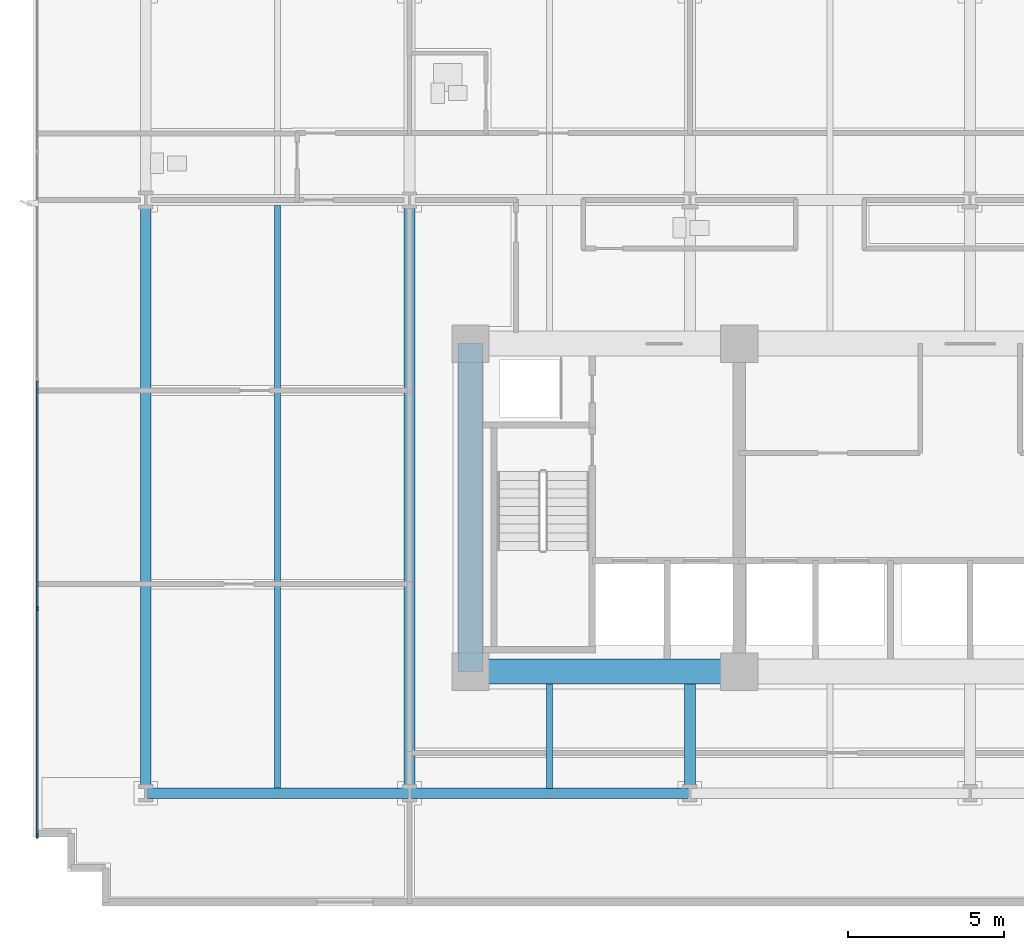
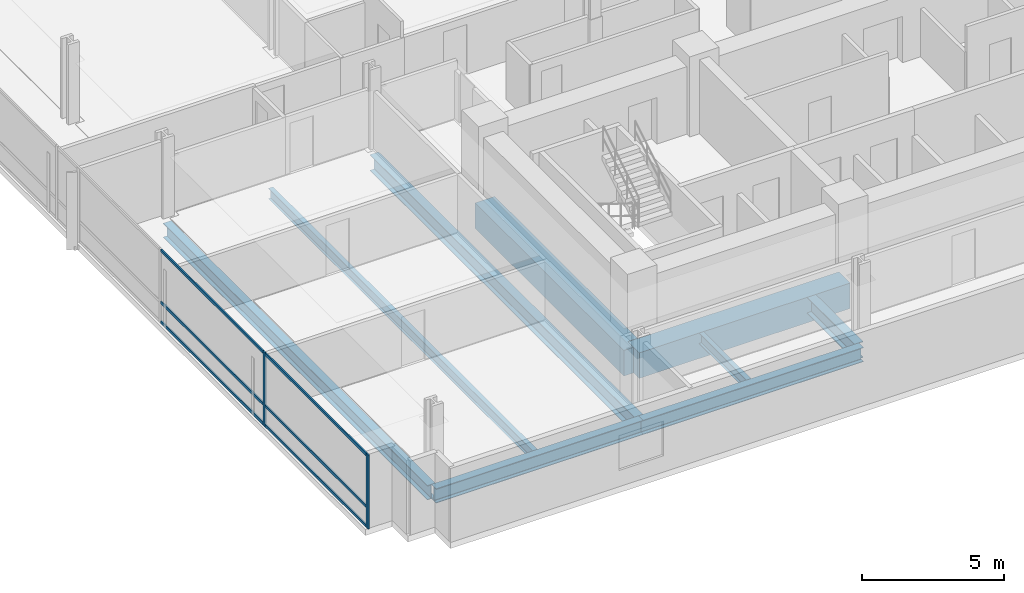
# One storey, part 2 of 21: 9 beams, 8 members, 1 element without a shape of its own.
"""IFC4 building model written with IfcOpenShell, lengths in metres."""

from ifc_helpers import new_model, si_unit, direction, frame, origin, origin_2d, place, context, subcontext, project, spatial, rectangle, i_section, extrude, material, material_profile, profile_set, type_object, element, aggregate, save


model = new_model("IFC4")

# Units and contexts
model_context = context("Model", 3, precision=1e-05, world=origin(), true_north=direction((0.0, 1.0)))
body_context = subcontext(model_context, "Body", "Model", "MODEL_VIEW")
ifc_project = project(units=[si_unit("LENGTHUNIT", "METRE"), si_unit("AREAUNIT", "SQUARE_METRE"), si_unit("VOLUMEUNIT", "CUBIC_METRE"), si_unit("PLANEANGLEUNIT", "RADIAN"), si_unit("MASSUNIT", "GRAM", prefix="KILO")], contexts=[model_context])

# Site, building, storey
site_placement = place(None, origin())
site = spatial("IfcSite", under=ifc_project, at=site_placement, CompositionType="ELEMENT")
building_placement = place(site_placement, origin())
building = spatial("IfcBuilding", under=site, at=building_placement, Name="Solmavex Isthmus Hotel", CompositionType="ELEMENT")
storey_placement = place(building_placement, frame((0.0, 0.0, 54.0)))
storey = spatial("IfcBuildingStorey", under=building, at=storey_placement, Name="L14", CompositionType="ELEMENT", Elevation=54.0)

# Beams
ifc_material_1 = material(Name="Steel ASTM A992 Grade 50", Category="steel")
ifc_material_profile_1 = material_profile(ifc_material_1, i_section(OverallWidth=0.354736328125, OverallDepth=0.695556640625, WebThickness=0.015380859375, FlangeThickness=0.02490234375, FilletRadius=0.017822265625, at=origin_2d()), Name="W27X146")
ifc_profile_set_1 = profile_set([ifc_material_profile_1], Name="Steel ASTM A992 Grade 50")
beam_type_1 = type_object("IfcBeamType", Name="BM-BG-W27X146", PredefinedType="BEAM", material=ifc_profile_set_1)
beam_1_placement = place(storey_placement, frame((-17.951904296875, -16.73681640625, -0.607666015625), z_axis=(0.0, 1.0, 0.0), x_axis=(-1.0, 0.0, 0.0)))
element("IfcBeam", 1, at=beam_1_placement, inside=storey, type_object=beam_type_1, Name="Floor Beam L14-VG28", PredefinedType="BEAM", context=body_context, shape_type="SweptSolid", body=[
    extrude(i_section(OverallWidth=0.354736328125, OverallDepth=0.695556640625, WebThickness=0.015380859375, FlangeThickness=0.02490234375, FilletRadius=0.017822265625, at=origin_2d()), origin(), (0.0, 0.0, 1.0), 18.659423828125),
])
beam_2_placement = place(storey_placement, frame((-8.97607421875, -16.73681640625, -0.607666015625), z_axis=(0.0, 1.0, 0.0), x_axis=(-1.0, 0.0, 0.0)))
element("IfcBeam", 2, at=beam_2_placement, inside=storey, type_object=beam_type_1, Name="Floor Beam L14-VG31", PredefinedType="BEAM", context=body_context, shape_type="SweptSolid", body=[
    extrude(i_section(OverallWidth=0.354736328125, OverallDepth=0.695556640625, WebThickness=0.015380859375, FlangeThickness=0.02490234375, FilletRadius=0.017822265625, at=origin_2d()), origin(), (0.0, 0.0, 1.0), 3.3369140625),
])
ifc_material_profile_2 = material_profile(ifc_material_1, i_section(OverallWidth=0.1904296875, OverallDepth=0.456787109375, WebThickness=0.009033203125, FlangeThickness=0.014404296875, FilletRadius=0.0126953125, at=origin_2d()), Name="W18X50")
ifc_profile_set_2 = profile_set([ifc_material_profile_2], Name="Steel ASTM A992 Grade 50")
beam_type_2 = type_object("IfcBeamType", Name="BM-BJ-W18X50", PredefinedType="JOIST", material=ifc_profile_set_2)
beam_3_placement = place(storey_placement, frame((-22.176025390625, -16.73681640625, -0.488525390625), z_axis=(0.0, 1.0, 0.0), x_axis=(-1.0, 0.0, 0.0)))
element("IfcBeam", 3, at=beam_3_placement, inside=storey, type_object=beam_type_2, Name="Secondary Floor Joist L14-J01", PredefinedType="JOIST", context=body_context, shape_type="SweptSolid", body=[
    extrude(i_section(OverallWidth=0.1904296875, OverallDepth=0.456787109375, WebThickness=0.009033203125, FlangeThickness=0.014404296875, FilletRadius=0.0126953125, at=origin_2d()), origin(), (0.0, 0.0, 1.0), 18.659423828125),
])
beam_4_placement = place(storey_placement, frame((-13.464111328125, -16.73681640625, -0.488525390625), z_axis=(0.0, 1.0, 0.0), x_axis=(-1.0, 0.0, 0.0)))
element("IfcBeam", 4, at=beam_4_placement, inside=storey, type_object=beam_type_2, Name="Secondary Floor Joist L14-J04", PredefinedType="JOIST", context=body_context, shape_type="SweptSolid", body=[
    extrude(i_section(OverallWidth=0.1904296875, OverallDepth=0.456787109375, WebThickness=0.009033203125, FlangeThickness=0.014404296875, FilletRadius=0.0126953125, at=origin_2d()), origin(), (0.0, 0.0, 1.0), 3.3369140625),
])
ifc_material_2 = material(Name="Concrete C70/85", Category="concrete")
ifc_material_profile_3 = material_profile(ifc_material_2, rectangle(XDim=0.800048828125, YDim=1.10009765625, at=origin_2d()), Name="RC800X1100")
ifc_profile_set_3 = profile_set([ifc_material_profile_3], Name="Concrete C70/85")
beam_type_3 = type_object("IfcBeamType", Name="BM-CB-800X1100", PredefinedType="BEAM", material=ifc_profile_set_3)
beam_5_placement = place(storey_placement, frame((-16.0, -13.0, -0.81005859375), z_axis=(1.0, 0.0, 0.0), x_axis=(0.0, 1.0, 0.0)))
element("IfcBeam", 5, at=beam_5_placement, inside=storey, type_object=beam_type_3, Name="Core Coupling Beam L14-CB1", PredefinedType="BEAM", context=body_context, shape_type="SweptSolid", body=[
    extrude(rectangle(XDim=0.800048828125, YDim=1.10009765625, at=origin_2d()), origin(), (0.0, 0.0, 1.0), 8.60009765625),
])
beam_6_placement = place(storey_placement, frame((-16.0, -13.0, -0.81005859375), z_axis=(0.0, 1.0, 0.0), x_axis=(-1.0, 0.0, 0.0)))
element("IfcBeam", 6, at=beam_6_placement, inside=storey, type_object=beam_type_3, Name="Core Coupling Beam L14-CB7", PredefinedType="BEAM", context=body_context, shape_type="SweptSolid", body=[
    extrude(rectangle(XDim=0.800048828125, YDim=1.10009765625, at=origin_2d()), origin(), (0.0, 0.0, 1.0), 10.5),
])
ifc_material_profile_4 = material_profile(ifc_material_1, i_section(OverallWidth=0.326416015625, OverallDepth=0.621826171875, WebThickness=0.015380859375, FlangeThickness=0.0244140625, FilletRadius=0.01513671875, at=origin_2d()), Name="W24X131")
ifc_profile_set_4 = profile_set([ifc_material_profile_4], Name="Steel ASTM A992 Grade 50")
beam_type_4 = type_object("IfcBeamType", Name="BM-SP-W24X131", PredefinedType="SPANDREL", material=ifc_profile_set_4)
beam_7_placement = place(storey_placement, frame((-26.39990234375, -16.89990234375, -0.57080078125), z_axis=(1.0, 0.0, 0.0), x_axis=(0.0, 1.0, 0.0)))
element("IfcBeam", 7, at=beam_7_placement, inside=storey, type_object=beam_type_4, Name="Floor Girder L14-UG01", PredefinedType="SPANDREL", context=body_context, shape_type="SweptSolid", body=[
    extrude(i_section(OverallWidth=0.326416015625, OverallDepth=0.621826171875, WebThickness=0.015380859375, FlangeThickness=0.0244140625, FilletRadius=0.01513671875, at=origin_2d()), origin(), (0.0, 0.0, 1.0), 8.447998046875),
])
beam_8_placement = place(storey_placement, frame((-17.951904296875, -16.89990234375, -0.57080078125), z_axis=(1.0, 0.0, 0.0), x_axis=(0.0, 1.0, 0.0)))
element("IfcBeam", 8, at=beam_8_placement, inside=storey, type_object=beam_type_4, Name="Floor Girder L14-UG02", PredefinedType="SPANDREL", context=body_context, shape_type="SweptSolid", body=[
    extrude(i_section(OverallWidth=0.326416015625, OverallDepth=0.621826171875, WebThickness=0.015380859375, FlangeThickness=0.0244140625, FilletRadius=0.01513671875, at=origin_2d()), origin(), (0.0, 0.0, 1.0), 8.975830078125),
])
beam_9_placement = place(storey_placement, frame((-26.39990234375, -16.73681640625, -0.57080078125), z_axis=(0.0, 1.0, 0.0), x_axis=(-1.0, 0.0, 0.0)))
element("IfcBeam", 9, at=beam_9_placement, inside=storey, type_object=beam_type_4, Name="Floor Beam L14-VG25", PredefinedType="SPANDREL", context=body_context, shape_type="SweptSolid", body=[
    extrude(i_section(OverallWidth=0.326416015625, OverallDepth=0.621826171875, WebThickness=0.015380859375, FlangeThickness=0.0244140625, FilletRadius=0.01513671875, at=origin_2d()), origin(), (0.0, 0.0, 1.0), 18.659423828125),
])

# Curtain wall, members
ifc_material_3 = material(Name="Aluminium alloy 6063-T6", Category="aluminium")
curtain_wall_type = type_object("IfcCurtainWallType", Name="CW-SYS-06", PredefinedType="NOTDEFINED", material=ifc_material_3)
curtain_wall_placement = place(storey_placement, origin())
curtain_wall = element("IfcCurtainWall", 10, at=curtain_wall_placement, inside=storey, type_object=curtain_wall_type, Name="Stick Curtain Wall CWL-L14-W1", PredefinedType="NOTDEFINED")
ifc_material_profile_5 = material_profile(ifc_material_3, rectangle(XDim=0.06005859375, YDim=0.139892578125, at=origin_2d()), Name="CWM-60X140")
ifc_profile_set_5 = profile_set([ifc_material_profile_5], Name="Aluminium alloy 6063-T6")
member_type_1 = type_object("IfcMemberType", Name="CW-SYS-06-MUL", PredefinedType="MULLION", material=ifc_profile_set_5)
member_1_placement = place(storey_placement, frame((-29.8798828125, -18.27001953125, 0.0), z_axis=(0.0, 0.0, 1.0), x_axis=(-1.0, 0.0, 0.0)))
member_1 = element("IfcMember", 11, at=member_1_placement, type_object=member_type_1, Name="CW-06 mullion 1", PredefinedType="MULLION", context=body_context, shape_type="SweptSolid", body=[
    extrude(rectangle(XDim=0.06005859375, YDim=0.139892578125, at=origin_2d()), origin(), (0.0, 0.0, 1.0), 3.18994140625),
])
member_2_placement = place(storey_placement, frame((-29.8798828125, -10.97998046875, 0.0), z_axis=(0.0, 0.0, 1.0), x_axis=(-1.0, 0.0, 0.0)))
member_2 = element("IfcMember", 12, at=member_2_placement, type_object=member_type_1, Name="CW-06 mullion 2", PredefinedType="MULLION", context=body_context, shape_type="SweptSolid", body=[
    extrude(rectangle(XDim=0.06005859375, YDim=0.139892578125, at=origin_2d()), origin(), (0.0, 0.0, 1.0), 3.18994140625),
])
ifc_material_profile_6 = material_profile(ifc_material_3, rectangle(XDim=0.06005859375, YDim=0.114990234375, at=origin_2d()), Name="CWT-60X115")
ifc_profile_set_6 = profile_set([ifc_material_profile_6], Name="Aluminium alloy 6063-T6")
member_type_2 = type_object("IfcMemberType", Name="CW-SYS-06-TRN", PredefinedType="USERDEFINED", material=ifc_profile_set_6)
member_3_placement = place(storey_placement, frame((-29.8798828125, -18.239990234375, 0.0576171875), z_axis=(0.0, 1.0, 0.0), x_axis=(-1.0, 0.0, 0.0)))
member_3 = element("IfcMember", 13, at=member_3_placement, type_object=member_type_2, Name="CW-06 transom 1.1", ObjectType="TRANSOM", PredefinedType="USERDEFINED", context=body_context, shape_type="SweptSolid", body=[
    extrude(rectangle(XDim=0.06005859375, YDim=0.114990234375, at=origin_2d()), origin(), (0.0, 0.0, 1.0), 7.22998046875),
])
member_4_placement = place(storey_placement, frame((-29.8798828125, -18.239990234375, 0.89990234375), z_axis=(0.0, 1.0, 0.0), x_axis=(-1.0, 0.0, 0.0)))
member_4 = element("IfcMember", 14, at=member_4_placement, type_object=member_type_2, Name="CW-06 transom 1.2", ObjectType="TRANSOM", PredefinedType="USERDEFINED", context=body_context, shape_type="SweptSolid", body=[
    extrude(rectangle(XDim=0.06005859375, YDim=0.114990234375, at=origin_2d()), origin(), (0.0, 0.0, 1.0), 7.22998046875),
])
member_5_placement = place(storey_placement, frame((-29.8798828125, -18.239990234375, 3.132568359375), z_axis=(0.0, 1.0, 0.0), x_axis=(-1.0, 0.0, 0.0)))
member_5 = element("IfcMember", 15, at=member_5_placement, type_object=member_type_2, Name="CW-06 transom 1.3", ObjectType="TRANSOM", PredefinedType="USERDEFINED", context=body_context, shape_type="SweptSolid", body=[
    extrude(rectangle(XDim=0.06005859375, YDim=0.114990234375, at=origin_2d()), origin(), (0.0, 0.0, 1.0), 7.22998046875),
])
member_6_placement = place(storey_placement, frame((-29.8798828125, -10.949951171875, 0.0576171875), z_axis=(0.0, 1.0, 0.0), x_axis=(-1.0, 0.0, 0.0)))
member_6 = element("IfcMember", 16, at=member_6_placement, type_object=member_type_2, Name="CW-06 transom 2.1", ObjectType="TRANSOM", PredefinedType="USERDEFINED", context=body_context, shape_type="SweptSolid", body=[
    extrude(rectangle(XDim=0.06005859375, YDim=0.114990234375, at=origin_2d()), origin(), (0.0, 0.0, 1.0), 7.260009765625),
])
member_7_placement = place(storey_placement, frame((-29.8798828125, -10.949951171875, 0.89990234375), z_axis=(0.0, 1.0, 0.0), x_axis=(-1.0, 0.0, 0.0)))
member_7 = element("IfcMember", 17, at=member_7_placement, type_object=member_type_2, Name="CW-06 transom 2.2", ObjectType="TRANSOM", PredefinedType="USERDEFINED", context=body_context, shape_type="SweptSolid", body=[
    extrude(rectangle(XDim=0.06005859375, YDim=0.114990234375, at=origin_2d()), origin(), (0.0, 0.0, 1.0), 7.260009765625),
])
member_8_placement = place(storey_placement, frame((-29.8798828125, -10.949951171875, 3.132568359375), z_axis=(0.0, 1.0, 0.0), x_axis=(-1.0, 0.0, 0.0)))
member_8 = element("IfcMember", 18, at=member_8_placement, type_object=member_type_2, Name="CW-06 transom 2.3", ObjectType="TRANSOM", PredefinedType="USERDEFINED", context=body_context, shape_type="SweptSolid", body=[
    extrude(rectangle(XDim=0.06005859375, YDim=0.114990234375, at=origin_2d()), origin(), (0.0, 0.0, 1.0), 7.260009765625),
])
aggregate(curtain_wall, [member_1, member_2, member_3, member_4, member_5, member_6, member_7, member_8])

save(model, "model.ifc")
